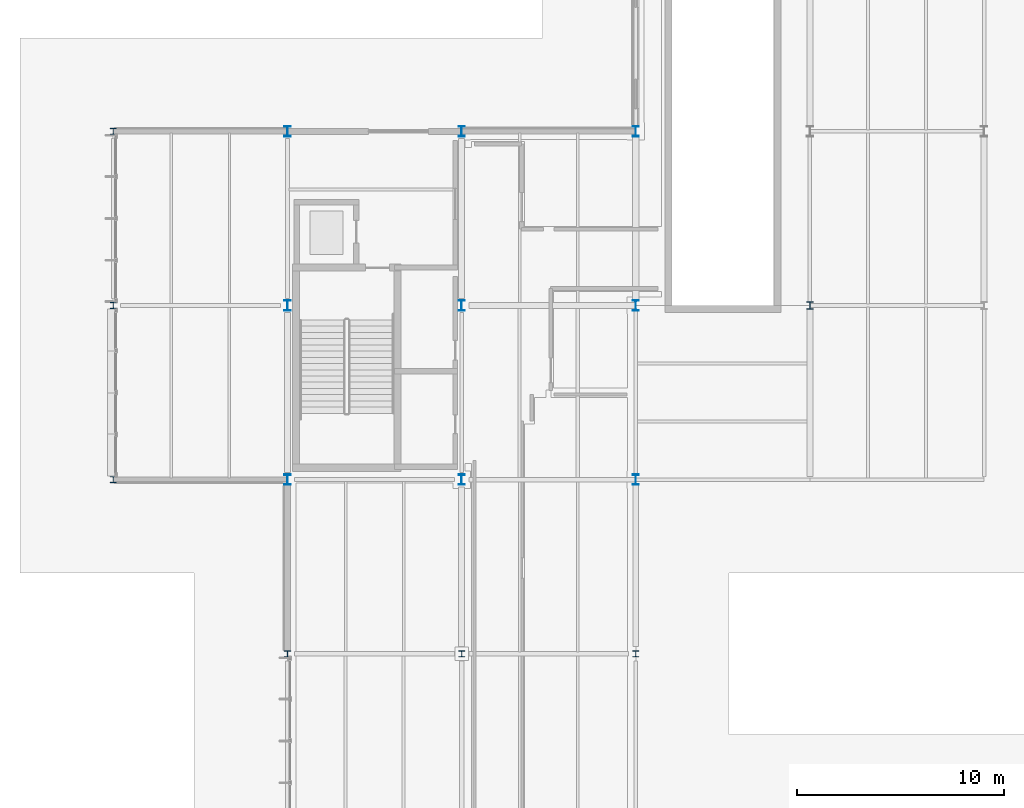
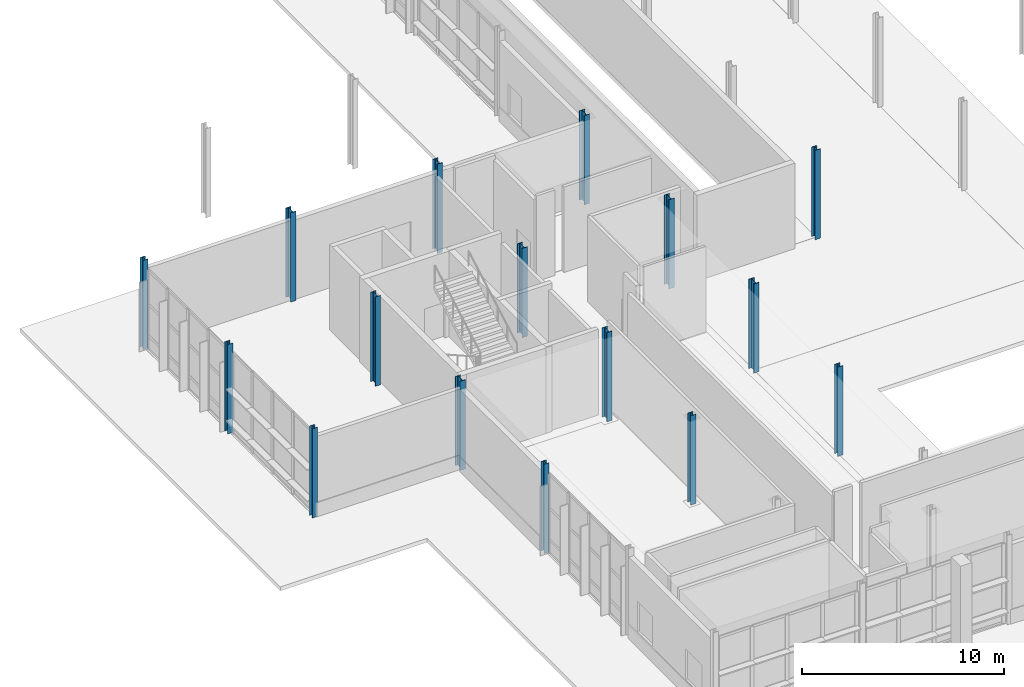
# One storey, part 8 of 124: 16 columns.
"""IFC4 building model written with IfcOpenShell, lengths in metres."""

from ifc_helpers import new_model, si_unit, direction, frame, origin, origin_2d, place, context, subcontext, project, spatial, i_section, extrude, material, material_profile, profile_set, type_object, element, save


model = new_model("IFC4")

# Units and contexts
model_context = context("Model", 3, precision=1e-05, world=origin(), true_north=direction((0.0, 1.0)))
body_context = subcontext(model_context, "Body", "Model", "MODEL_VIEW")
ifc_project = project(units=[si_unit("LENGTHUNIT", "METRE"), si_unit("AREAUNIT", "SQUARE_METRE"), si_unit("VOLUMEUNIT", "CUBIC_METRE"), si_unit("PLANEANGLEUNIT", "RADIAN"), si_unit("MASSUNIT", "GRAM", prefix="KILO")], contexts=[model_context])

# Site, building, storey
site_placement = place(None, origin())
site = spatial("IfcSite", under=ifc_project, at=site_placement, CompositionType="ELEMENT")
building_placement = place(site_placement, origin())
building = spatial("IfcBuilding", under=site, at=building_placement, Name="Mersafa Astral City Hall", CompositionType="ELEMENT")
storey_placement = place(building_placement, origin())
storey = spatial("IfcBuildingStorey", under=building, at=storey_placement, Name="L00", CompositionType="ELEMENT", Elevation=0.0)

# Columns
ifc_material = material(Name="Steel S355", Category="steel")
ifc_material_profile_1 = material_profile(ifc_material, i_section(OverallWidth=0.300048828125, OverallDepth=0.300048828125, WebThickness=0.010986328125, FlangeThickness=0.01904296875, FilletRadius=0.027099609375, at=origin_2d()), Name="HEB 300")
ifc_profile_set_1 = profile_set([ifc_material_profile_1], Name="Steel S355")
column_type_1 = type_object("IfcColumnType", Name="STR-COL-HEB300", PredefinedType="COLUMN", material=ifc_profile_set_1)
for number, where, z_axis, x_axis, name in (
    (1, (0.0, 75.60009765625, 0.0), (0.0, 0.0, 1.0), (1.0, 0.0, 0.0), "L00 Structural column G-00-09"),
    (2, (0.0, 84.0, 0.0), (0.0, 0.0, 1.0), (1.0, 0.0, 0.0), "L00 Structural column G-00-10"),
    (3, (0.0, 92.39990234375, 0.0), (0.0, 0.0, 1.0), (1.0, 0.0, 0.0), "L00 Structural column G-00-11"),
    (4, (8.39990234375, 67.199951171875, 0.0), (0.0, 0.0, 1.0), (1.0, 0.0, 0.0), "L00 Structural column G-01-08"),
    (5, (16.800048828125, 67.199951171875, 0.0), (0.0, 0.0, 1.0), (1.0, 0.0, 0.0), "L00 Structural column G-02-08"),
    (6, (25.199951171875, 67.199951171875, 0.0), (0.0, 0.0, 1.0), (1.0, 0.0, 0.0), "L00 Structural column G-03-08"),
):
    element("IfcColumn", number, at=place(storey_placement, frame(where, z_axis=z_axis, x_axis=x_axis)), inside=storey, type_object=column_type_1, Name=name, PredefinedType="COLUMN", context=body_context, shape_type="SweptSolid", body=[
        extrude(i_section(OverallWidth=0.300048828125, OverallDepth=0.300048828125, WebThickness=0.010986328125, FlangeThickness=0.01904296875, FilletRadius=0.027099609375, at=origin_2d()), origin(), (0.0, 0.0, 1.0), 5.39990234375),
    ])
ifc_material_profile_2 = material_profile(ifc_material, i_section(OverallWidth=0.300048828125, OverallDepth=0.360107421875, WebThickness=0.012451171875, FlangeThickness=0.0224609375, FilletRadius=0.027099609375, at=origin_2d()), Name="HEB 360")
ifc_profile_set_2 = profile_set([ifc_material_profile_2], Name="Steel S355")
column_type_2 = type_object("IfcColumnType", Name="STR-COL-HEB360", PredefinedType="COLUMN", material=ifc_profile_set_2)
column_placement = place(storey_placement, frame((33.60009765625, 84.0, 0.0), z_axis=(0.0, 0.0, 1.0), x_axis=(1.0, 0.0, 0.0)))
element("IfcColumn", 7, at=column_placement, inside=storey, type_object=column_type_2, Name="L00 Structural column G-04-10", PredefinedType="COLUMN", context=body_context, shape_type="SweptSolid", body=[
    extrude(i_section(OverallWidth=0.300048828125, OverallDepth=0.360107421875, WebThickness=0.012451171875, FlangeThickness=0.0224609375, FilletRadius=0.027099609375, at=origin_2d()), origin(), (0.0, 0.0, 1.0), 5.39990234375),
])
ifc_material_profile_3 = material_profile(ifc_material, i_section(OverallWidth=0.300048828125, OverallDepth=0.5, WebThickness=0.014404296875, FlangeThickness=0.028076171875, FilletRadius=0.027099609375, at=origin_2d()), Name="HEB 500")
ifc_profile_set_3 = profile_set([ifc_material_profile_3], Name="Steel S355")
column_type_3 = type_object("IfcColumnType", Name="STR-COL-HEB500", PredefinedType="COLUMN", material=ifc_profile_set_3)
for number, where, z_axis, x_axis, name in (
    (8, (8.39990234375, 75.60009765625, 0.0), (0.0, 0.0, 1.0), (1.0, 0.0, 0.0), "L00 Structural column G-01-09"),
    (9, (8.39990234375, 84.0, 0.0), (0.0, 0.0, 1.0), (1.0, 0.0, 0.0), "L00 Structural column G-01-10"),
    (10, (8.39990234375, 92.39990234375, 0.0), (0.0, 0.0, 1.0), (1.0, 0.0, 0.0), "L00 Structural column G-01-11"),
    (11, (16.800048828125, 75.60009765625, 0.0), (0.0, 0.0, 1.0), (1.0, 0.0, 0.0), "L00 Structural column G-02-09"),
    (12, (16.800048828125, 84.0, 0.0), (0.0, 0.0, 1.0), (1.0, 0.0, 0.0), "L00 Structural column G-02-10"),
    (13, (16.800048828125, 92.39990234375, 0.0), (0.0, 0.0, 1.0), (1.0, 0.0, 0.0), "L00 Structural column G-02-11"),
    (14, (25.199951171875, 75.60009765625, 0.0), (0.0, 0.0, 1.0), (1.0, 0.0, 0.0), "L00 Structural column G-03-09"),
    (15, (25.199951171875, 84.0, 0.0), (0.0, 0.0, 1.0), (1.0, 0.0, 0.0), "L00 Structural column G-03-10"),
    (16, (25.199951171875, 92.39990234375, 0.0), (0.0, 0.0, 1.0), (1.0, 0.0, 0.0), "L00 Structural column G-03-11"),
):
    element("IfcColumn", number, at=place(storey_placement, frame(where, z_axis=z_axis, x_axis=x_axis)), inside=storey, type_object=column_type_3, Name=name, PredefinedType="COLUMN", context=body_context, shape_type="SweptSolid", body=[
        extrude(i_section(OverallWidth=0.300048828125, OverallDepth=0.5, WebThickness=0.014404296875, FlangeThickness=0.028076171875, FilletRadius=0.027099609375, at=origin_2d()), origin(), (0.0, 0.0, 1.0), 5.39990234375),
    ])

save(model, "model.ifc")
